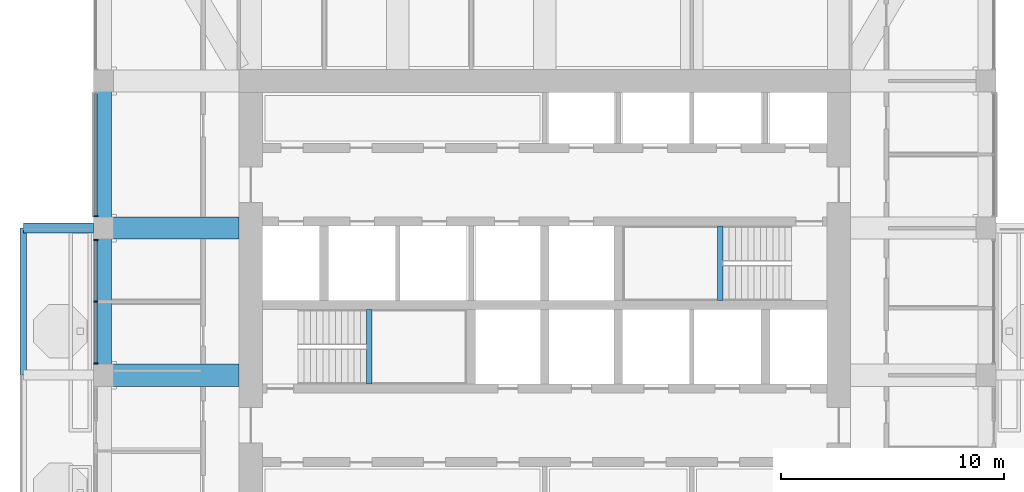
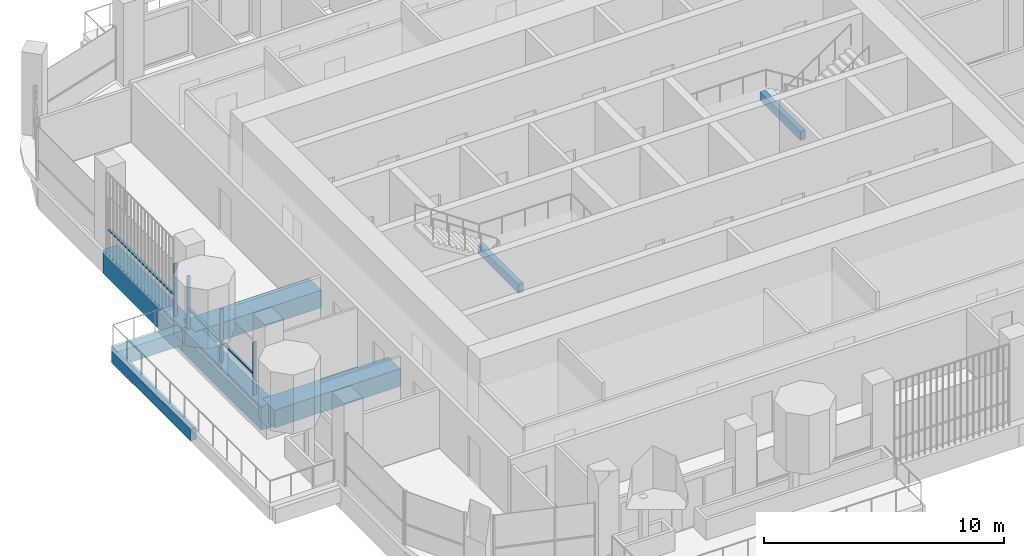
# One storey, part 4 of 20: 8 beams, 7 members, 2 elements without a shape of their own.
"""IFC4 building model written with IfcOpenShell, lengths in metres."""

from ifc_helpers import new_model, si_unit, direction, frame, origin, origin_2d, place, context, subcontext, project, spatial, rectangle, extrude, material, material_profile, profile_set, type_object, element, aggregate, save


model = new_model("IFC4")

# Units and contexts
model_context = context("Model", 3, precision=1e-05, world=origin(), true_north=direction((0.0, 1.0)))
body_context = subcontext(model_context, "Body", "Model", "MODEL_VIEW")
ifc_project = project(units=[si_unit("LENGTHUNIT", "METRE"), si_unit("AREAUNIT", "SQUARE_METRE"), si_unit("VOLUMEUNIT", "CUBIC_METRE"), si_unit("PLANEANGLEUNIT", "RADIAN"), si_unit("MASSUNIT", "GRAM", prefix="KILO")], contexts=[model_context])

# Site, building, storey
site_placement = place(None, origin())
site = spatial("IfcSite", under=ifc_project, at=site_placement, CompositionType="ELEMENT")
building_placement = place(site_placement, origin())
building = spatial("IfcBuilding", under=site, at=building_placement, Name="Cobogo Forest Laboratory Tower", CompositionType="ELEMENT")
storey_placement = place(building_placement, frame((0.0, 0.0, 279.60009765625)))
storey = spatial("IfcBuildingStorey", under=building, at=storey_placement, Name="L64", CompositionType="ELEMENT", Elevation=279.60009765625)

# Beams
ifc_material_1 = material(Name="Concrete HA-40 (C40/50)", Category="concrete")
ifc_material_profile_1 = material_profile(ifc_material_1, rectangle(XDim=0.449951171875, YDim=0.75, at=origin_2d()), Name="RC 450x750")
ifc_profile_set_1 = profile_set([ifc_material_profile_1], Name="Concrete HA-40 (C40/50)")
beam_type_1 = type_object("IfcBeamType", Name="Balcony cantilever beam 450x750", PredefinedType="BEAM", material=ifc_profile_set_1)
beam_1_placement = place(storey_placement, frame((6.14990234375, 26.39990234375, -0.625), z_axis=(-1.0, 0.0, 0.0), x_axis=(0.0, -1.0, 0.0)))
element("IfcBeam", 1, at=beam_1_placement, inside=storey, type_object=beam_type_1, Name="CB1 BAL-W1-C3 L64", PredefinedType="BEAM", context=body_context, shape_type="SweptSolid", body=[
    extrude(rectangle(XDim=0.449951171875, YDim=0.75, at=origin_2d()), origin(), (0.0, 0.0, 1.0), 3.14990234375),
])
ifc_material_profile_2 = material_profile(ifc_material_1, rectangle(XDim=0.300048828125, YDim=0.60009765625, at=origin_2d()), Name="RC 300x600")
ifc_profile_set_2 = profile_set([ifc_material_profile_2], Name="Concrete HA-40 (C40/50)")
beam_type_2 = type_object("IfcBeamType", Name="Balcony edge beam 300x600", PredefinedType="BEAM", material=ifc_profile_set_2)
beam_2_placement = place(storey_placement, frame((3.0, 19.800048828125, -0.550048828125), z_axis=(0.0, 1.0, 0.0), x_axis=(-1.0, 0.0, 0.0)))
element("IfcBeam", 2, at=beam_2_placement, inside=storey, type_object=beam_type_2, Name="BB1 BAL-W1-T2 L64", PredefinedType="BEAM", context=body_context, shape_type="SweptSolid", body=[
    extrude(rectangle(XDim=0.300048828125, YDim=0.60009765625, at=origin_2d()), origin(), (0.0, 0.0, 1.0), 6.599853515625),
])
ifc_material_profile_3 = material_profile(ifc_material_1, rectangle(XDim=0.25, YDim=0.449951171875, at=origin_2d()), Name="RC 250x450")
ifc_profile_set_3 = profile_set([ifc_material_profile_3], Name="Concrete HA-40 (C40/50)")
beam_type_3 = type_object("IfcBeamType", Name="LB1 landing beam 250x450", PredefinedType="BEAM", material=ifc_profile_set_3)
for number, where, z_axis, x_axis, name in (
    (3, (18.530029296875, 19.39990234375, 1.6748046875), (0.0, 1.0, 0.0), (-1.0, 0.0, 0.0), "Landing beam ST1 L64"),
    (4, (34.27001953125, 23.14990234375, 1.6748046875), (0.0, 1.0, 0.0), (-1.0, 0.0, 0.0), "Landing beam ST2 L64"),
):
    element("IfcBeam", number, at=place(storey_placement, frame(where, z_axis=z_axis, x_axis=x_axis)), inside=storey, type_object=beam_type_3, Name=name, PredefinedType="BEAM", context=body_context, shape_type="SweptSolid", body=[
        extrude(rectangle(XDim=0.25, YDim=0.449951171875, at=origin_2d()), origin(), (0.0, 0.0, 1.0), 3.35009765625),
    ])

# Curtain wall, member
ifc_material_2 = material(Name="Aluminium curtain wall", Category="aluminium")
curtain_wall_type = type_object("IfcCurtainWallType", Name="CW-2 unitised curtain wall, solar control glazing, laboratory floors zones C and D", PredefinedType="USERDEFINED", material=ifc_material_2)
curtain_wall_1_placement = place(storey_placement, origin())
curtain_wall_1 = element("IfcCurtainWall", 5, at=curtain_wall_1_placement, inside=storey, type_object=curtain_wall_type, Name="Curtain wall 21 L64", ObjectType="UNITISED CURTAIN WALL", PredefinedType="USERDEFINED")
ifc_material_3 = material(Name="Aluminium mullion", Category="aluminium")
ifc_material_profile_4 = material_profile(ifc_material_3, rectangle(XDim=0.06005859375, YDim=0.159912109375, at=origin_2d()), Name="AL 60x160")
ifc_profile_set_4 = profile_set([ifc_material_profile_4], Name="Aluminium mullion")
member_type_1 = type_object("IfcMemberType", Name="MU-1 aluminium mullion 60x160", PredefinedType="MULLION", material=ifc_profile_set_4)
member_1_placement = place(storey_placement, frame((6.25, 26.929931640625, 0.0), z_axis=(0.0, 0.0, 1.0), x_axis=(0.0, -1.0, 0.0)))
member_1 = element("IfcMember", 6, at=member_1_placement, type_object=member_type_1, Name="CW-2 mullion 2", PredefinedType="MULLION", context=body_context, shape_type="SweptSolid", body=[
    extrude(rectangle(XDim=0.06005859375, YDim=0.159912109375, at=origin_2d()), origin(), (0.0, 0.0, 1.0), 2.699951171875),
])

# Curtain wall, members
curtain_wall_2_placement = place(storey_placement, origin())
curtain_wall_2 = element("IfcCurtainWall", 7, at=curtain_wall_2_placement, inside=storey, type_object=curtain_wall_type, Name="Curtain wall 22 L64", ObjectType="UNITISED CURTAIN WALL", PredefinedType="USERDEFINED")
member_2_placement = place(storey_placement, frame((6.25, 25.8701171875, 0.0), z_axis=(0.0, 0.0, 1.0), x_axis=(0.0, -1.0, 0.0)))
member_2 = element("IfcMember", 8, at=member_2_placement, type_object=member_type_1, Name="CW-2 mullion 1", PredefinedType="MULLION", context=body_context, shape_type="SweptSolid", body=[
    extrude(rectangle(XDim=0.06005859375, YDim=0.159912109375, at=origin_2d()), origin(), (0.0, 0.0, 1.0), 2.699951171875),
])
member_3_placement = place(storey_placement, frame((6.25, 23.10009765625, 0.0), z_axis=(0.0, 0.0, 1.0), x_axis=(0.0, -1.0, 0.0)))
member_3 = element("IfcMember", 9, at=member_3_placement, type_object=member_type_1, Name="CW-2 mullion 2", PredefinedType="MULLION", context=body_context, shape_type="SweptSolid", body=[
    extrude(rectangle(XDim=0.06005859375, YDim=0.159912109375, at=origin_2d()), origin(), (0.0, 0.0, 1.0), 2.699951171875),
])
member_4_placement = place(storey_placement, frame((6.25, 20.330078125, 0.0), z_axis=(0.0, 0.0, 1.0), x_axis=(0.0, -1.0, 0.0)))
member_4 = element("IfcMember", 10, at=member_4_placement, type_object=member_type_1, Name="CW-2 mullion 3", PredefinedType="MULLION", context=body_context, shape_type="SweptSolid", body=[
    extrude(rectangle(XDim=0.06005859375, YDim=0.159912109375, at=origin_2d()), origin(), (0.0, 0.0, 1.0), 2.699951171875),
])

# Beams
ifc_material_profile_5 = material_profile(ifc_material_1, rectangle(XDim=1.0, YDim=0.89990234375, at=origin_2d()), Name="RC 1000x900")
ifc_profile_set_5 = profile_set([ifc_material_profile_5], Name="Concrete HA-40 (C40/50)")
beam_type_4 = type_object("IfcBeamType", Name="Office floor wide beam 1000x900", PredefinedType="BEAM", material=ifc_profile_set_5)
for number, where, z_axis, x_axis, name in (
    (11, (12.675048828125, 19.800048828125, -0.75), (-1.0, 0.0, 0.0), (0.0, -1.0, 0.0), "RB2 R-D-W L64"),
    (12, (12.675048828125, 26.39990234375, -0.75), (-1.0, 0.0, 0.0), (0.0, -1.0, 0.0), "RB2 R-E-W L64"),
):
    element("IfcBeam", number, at=place(storey_placement, frame(where, z_axis=z_axis, x_axis=x_axis)), inside=storey, type_object=beam_type_4, Name=name, PredefinedType="BEAM", context=body_context, shape_type="SweptSolid", body=[
        extrude(rectangle(XDim=1.0, YDim=0.89990234375, at=origin_2d()), origin(), (0.0, 0.0, 1.0), 6.074951171875),
    ])
ifc_material_profile_6 = material_profile(ifc_material_1, rectangle(XDim=0.699951171875, YDim=1.199951171875, at=origin_2d()), Name="RC 700x1200")
ifc_profile_set_6 = profile_set([ifc_material_profile_6], Name="Concrete HA-40 (C40/50)")
beam_type_5 = type_object("IfcBeamType", Name="Perimeter edge beam 700x1200", PredefinedType="BEAM", material=ifc_profile_set_6)
beam_3_placement = place(storey_placement, frame((6.60009765625, 19.800048828125, -0.900146484375), z_axis=(0.0, 1.0, 0.0), x_axis=(-1.0, 0.0, 0.0)))
element("IfcBeam", 13, at=beam_3_placement, inside=storey, type_object=beam_type_5, Name="EB1 E-W2 L64", PredefinedType="BEAM", context=body_context, shape_type="SweptSolid", body=[
    extrude(rectangle(XDim=0.699951171875, YDim=1.199951171875, at=origin_2d()), origin(), (0.0, 0.0, 1.0), 6.599853515625),
])
beam_4_placement = place(storey_placement, frame((6.60009765625, 26.39990234375, -0.900146484375), z_axis=(0.0, 1.0, 0.0), x_axis=(-1.0, 0.0, 0.0)))
element("IfcBeam", 14, at=beam_4_placement, inside=storey, type_object=beam_type_5, Name="EB1 E-W3 L64", PredefinedType="BEAM", context=body_context, shape_type="SweptSolid", body=[
    extrude(rectangle(XDim=0.699951171875, YDim=1.199951171875, at=origin_2d()), origin(), (0.0, 0.0, 1.0), 6.60009765625),
])

# Member
ifc_material_4 = material(Name="Aluminium transom", Category="aluminium")
ifc_material_profile_7 = material_profile(ifc_material_4, rectangle(XDim=0.1201171875, YDim=0.06005859375, at=origin_2d()), Name="AL 60x120")
ifc_profile_set_7 = profile_set([ifc_material_profile_7], Name="Aluminium transom")
member_type_2 = type_object("IfcMemberType", Name="TR-1 aluminium transom 60x120", PredefinedType="USERDEFINED", material=ifc_profile_set_7)
member_5_placement = place(storey_placement, frame((6.25, 32.43994140625, 1.0498046875), z_axis=(0.0, -1.0, 0.0), x_axis=(1.0, 0.0, 0.0)))
member_5 = element("IfcMember", 15, at=member_5_placement, type_object=member_type_2, Name="CW-2 transom 1.1", ObjectType="TRANSOM", PredefinedType="USERDEFINED", context=body_context, shape_type="SweptSolid", body=[
    extrude(rectangle(XDim=0.1201171875, YDim=0.06005859375, at=origin_2d()), origin(), (0.0, 0.0, 1.0), 5.47998046875),
])

aggregate(curtain_wall_1, [member_1, member_5])

member_6_placement = place(storey_placement, frame((6.25, 25.840087890625, 1.0498046875), z_axis=(0.0, -1.0, 0.0), x_axis=(1.0, 0.0, 0.0)))
member_6 = element("IfcMember", 16, at=member_6_placement, type_object=member_type_2, Name="CW-2 transom 1.1", ObjectType="TRANSOM", PredefinedType="USERDEFINED", context=body_context, shape_type="SweptSolid", body=[
    extrude(rectangle(XDim=0.1201171875, YDim=0.06005859375, at=origin_2d()), origin(), (0.0, 0.0, 1.0), 2.710205078125),
])

member_7_placement = place(storey_placement, frame((6.25, 23.070068359375, 1.0498046875), z_axis=(0.0, -1.0, 0.0), x_axis=(1.0, 0.0, 0.0)))
member_7 = element("IfcMember", 17, at=member_7_placement, type_object=member_type_2, Name="CW-2 transom 2.1", ObjectType="TRANSOM", PredefinedType="USERDEFINED", context=body_context, shape_type="SweptSolid", body=[
    extrude(rectangle(XDim=0.1201171875, YDim=0.06005859375, at=origin_2d()), origin(), (0.0, 0.0, 1.0), 2.7099609375),
])

aggregate(curtain_wall_2, [member_2, member_3, member_4, member_6, member_7])

save(model, "model.ifc")
